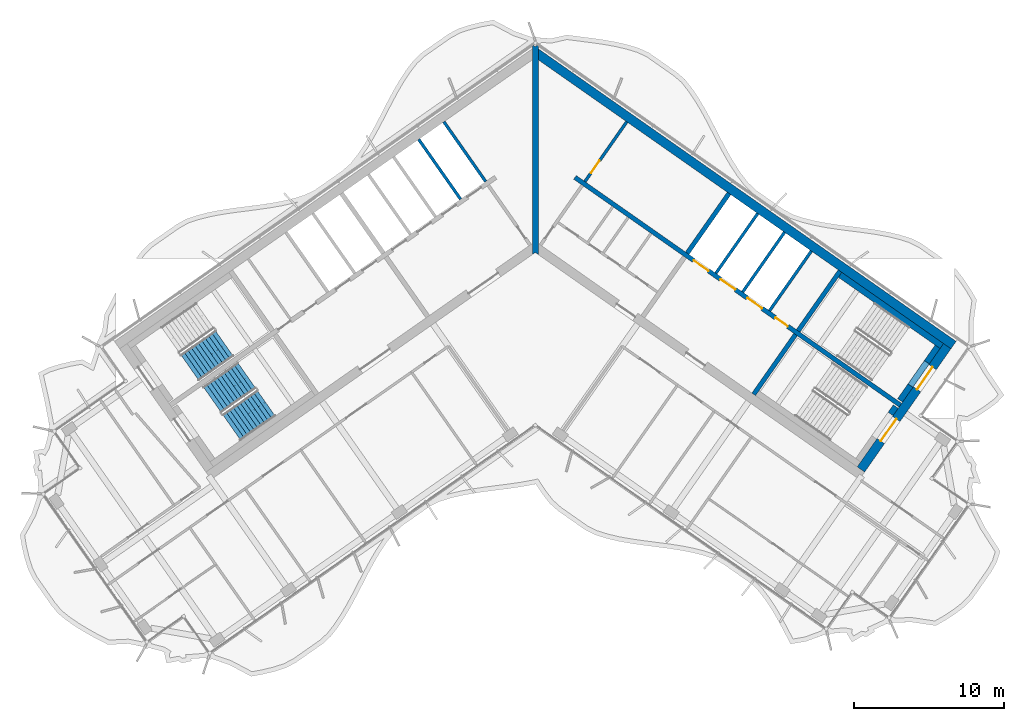
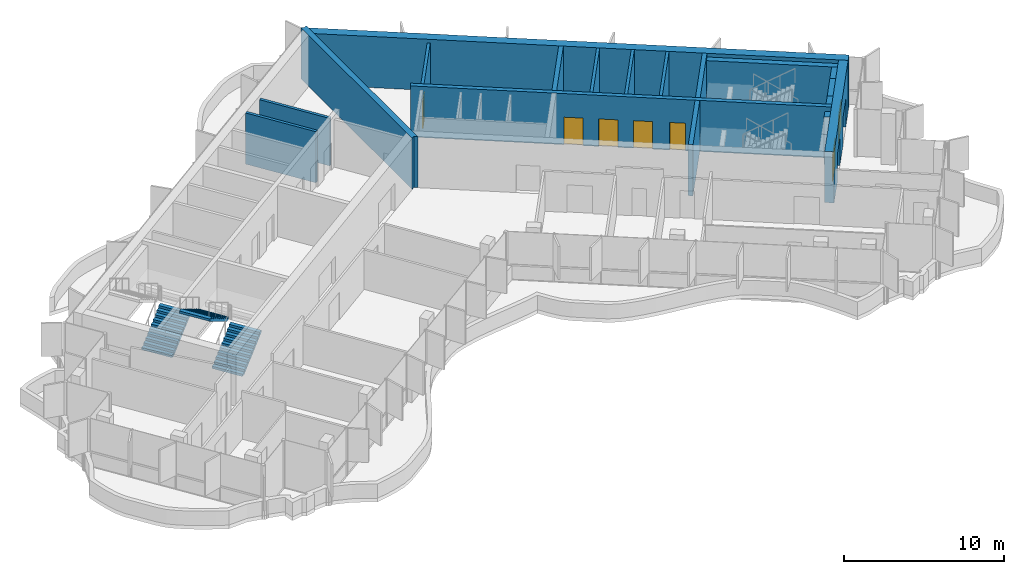
# One storey, part 11 of 17: 18 walls, 7 doors, 3 stair flights, 7 openings, 2 elements without a shape of their own.
"""IFC4 building model written with IfcOpenShell, lengths in metres."""

from ifc_helpers import new_model, si_unit, direction, frame, frame_2d, origin, place, context, subcontext, project, spatial, polyline, rectangle, outline, extrude, material, layer, layer_set, type_object, element, fill, aggregate, save


model = new_model("IFC4")

# Units and contexts
model_context = context("Model", 3, precision=1e-05, world=origin(), true_north=direction((0.0, 1.0)))
body_context = subcontext(model_context, "Body", "Model", "MODEL_VIEW")
ifc_project = project(units=[si_unit("LENGTHUNIT", "METRE"), si_unit("AREAUNIT", "SQUARE_METRE"), si_unit("VOLUMEUNIT", "CUBIC_METRE"), si_unit("PLANEANGLEUNIT", "RADIAN"), si_unit("MASSUNIT", "GRAM", prefix="KILO")], contexts=[model_context])

# Site, building, storey
site_placement = place(None, origin())
site = spatial("IfcSite", under=ifc_project, at=site_placement, CompositionType="ELEMENT")
building_placement = place(site_placement, origin())
building = spatial("IfcBuilding", under=site, at=building_placement, Name="Tel Ilan Convention Tower", CompositionType="ELEMENT")
storey_placement = place(building_placement, frame((0.0, 0.0, 280.0)))
storey = spatial("IfcBuildingStorey", under=building, at=storey_placement, Name="L66", CompositionType="ELEMENT", Elevation=280.0)

# Wall
ifc_material_1 = material(Name="Concrete C30/37", Category="concrete")
ifc_layer_1 = layer(ifc_material_1, 0.199951171875)
ifc_layer_set_1 = layer_set([ifc_layer_1], Name="Core Service Room Wall 200 mm C30/37")
wall_type_1 = type_object("IfcWallType", Name="Core Service Room Wall 200 mm C30/37", PredefinedType="SOLIDWALL", material=ifc_layer_set_1)
wall_1_placement = place(storey_placement, frame((-3.2978515625, 3.489501953125, 0.0), z_axis=(0.0, 0.0, 1.0), x_axis=(-0.573560315113, 0.819163332265, 0.0)))
element("IfcWall", 1, at=wall_1_placement, inside=storey, type_object=wall_type_1, Name="L66 core wall apex-W-b", PredefinedType="SOLIDWALL", context=body_context, shape_type="SweptSolid", body=[
    extrude(rectangle(XDim=4.849853515625, YDim=0.199951171875, at=frame_2d((2.4248046875, 0.0))), origin(), (0.0, 0.0, 1.0), 3.6201171875),
])

# Wall, opening, door
wall_2_placement = place(storey_placement, frame((3.2978515625, 3.489501953125, 0.0), z_axis=(0.0, 0.0, 1.0), x_axis=(0.573560315113, 0.819163332265, 0.0)))
wall_2 = element("IfcWall", 2, at=wall_2_placement, inside=storey, type_object=wall_type_1, Name="L66 core wall apex-E-b", PredefinedType="SOLIDWALL", context=body_context, shape_type="SweptSolid", body=[
    extrude(rectangle(XDim=4.849853515625, YDim=0.199951171875, at=frame_2d((2.4248046875, 0.0))), origin(), (0.0, 0.0, 1.0), 3.6201171875),
])
opening_1_placement = place(wall_2_placement, frame((0.699951171875, 0.0, 0.0)))
opening_1 = element("IfcOpeningElement", 3, at=opening_1_placement, cuts=wall_2, Name="Opening CD5003", PredefinedType="OPENING", context=body_context, shape_type="SweptSolid", body=[
    extrude(rectangle(XDim=1.0, YDim=2.10009765625, at=frame_2d((0.5, 1.050048828125))), frame((0.0, 0.10986328125, 0.0), z_axis=(0.0, -1.0, 0.0), x_axis=(1.0, 0.0, 0.0)), (0.0, 0.0, 1.0), 0.219970703125),
])
ifc_material_2 = material(Name="Galvanised Steel Door Leaf", Category="steel")
door_type_1 = type_object("IfcDoorType", Name="Service Room Door 1000 x 2100 FD60", OperationType="NOTDEFINED", PredefinedType="DOOR", material=ifc_material_2)
door_1_placement = place(opening_1_placement, origin())
door_1 = element("IfcDoor", 4, at=door_1_placement, inside=storey, type_object=door_type_1, Name="Plant Room door", OperationType="SINGLE_SWING_RIGHT", OverallHeight=2.10009765625, OverallWidth=1.0, PredefinedType="DOOR", context=body_context, shape_type="SweptSolid", body=[
    extrude(rectangle(XDim=1.0, YDim=2.10009765625, at=frame_2d((0.5, 1.050048828125))), frame((0.0, 0.02490234375, 0.0), z_axis=(0.0, -1.0, 0.0), x_axis=(1.0, 0.0, 0.0)), (0.0, 0.0, 1.0), 0.050048828125),
])
fill(opening_1, door_1)

# Walls
ifc_material_3 = material(Name="Concrete C40/50", Category="concrete")
ifc_layer_2 = layer(ifc_material_3, 0.300048828125)
ifc_layer_set_2 = layer_set([ifc_layer_2], Name="Core Shear Wall 300 mm C40/50")
wall_type_2 = type_object("IfcWallType", Name="Core Shear Wall 300 mm C40/50", PredefinedType="SHEAR", material=ifc_layer_set_2)
wall_3_placement = place(storey_placement, frame((10.096923828125, -1.271240234375, 0.0), z_axis=(0.0, 0.0, 1.0), x_axis=(0.573560315113, 0.819163332265, 0.0)))
element("IfcWall", 5, at=wall_3_placement, inside=storey, type_object=wall_type_2, Name="L66 core wall E-cross1-2", PredefinedType="SHEAR", context=body_context, shape_type="SweptSolid", body=[
    extrude(outline(polyline([(4.849853515625, -0.150146484375), (4.849853515625, 0.14990234375), (0.0, 0.150146484375), (0.0, -0.14990234375), (4.849853515625, -0.150146484375)])), origin(), (0.0, 0.0, 1.0), 3.89990234375),
])
wall_4_placement = place(storey_placement, frame((14.515380859375, -10.652099609375, 0.0), z_axis=(0.0, 0.0, 1.0), x_axis=(0.573560315113, 0.819163332265, 0.0)))
element("IfcWall", 6, at=wall_4_placement, inside=storey, type_object=wall_type_2, Name="L66 core wall E-cross2-1", PredefinedType="SHEAR", context=body_context, shape_type="SweptSolid", body=[
    extrude(outline(polyline([(0.0, 0.150146484375), (0.0, -0.14990234375), (4.85009765625, -0.14990234375), (4.85009765625, 0.14990234375), (0.0, 0.150146484375)])), origin(), (0.0, 0.0, 1.0), 3.89990234375),
])
wall_5_placement = place(storey_placement, frame((17.46923828125, -6.433349609375, 0.0), z_axis=(0.0, 0.0, 1.0), x_axis=(0.573594092424, 0.81913968109, 0.0)))
element("IfcWall", 7, at=wall_5_placement, inside=storey, type_object=wall_type_2, Name="L66 core wall E-cross2-2", PredefinedType="SHEAR", context=body_context, shape_type="SweptSolid", body=[
    extrude(outline(polyline([(4.849853515625, -0.14990234375), (4.849853515625, 0.150146484375), (0.0, 0.14990234375), (0.0, -0.14990234375), (4.849853515625, -0.14990234375)])), origin(), (0.0, 0.0, 1.0), 3.89990234375),
])

# Wall, openings, doors
wall_6_placement = place(storey_placement, frame((2.638427734375, 3.76806640625, 0.0), z_axis=(0.0, 0.0, 1.0), x_axis=(0.819155014212, -0.573572194837, 0.0)))
wall_6 = element("IfcWall", 8, at=wall_6_placement, inside=storey, type_object=wall_type_2, Name="L66 core wall E-spine", PredefinedType="SHEAR", context=body_context, shape_type="SweptSolid", body=[
    extrude(outline(polyline([(0.0, 0.150146484375), (0.0, -0.14990234375), (26.39990234375, -0.150146484375), (26.39990234375, 0.14990234375), (0.0, 0.150146484375)])), origin(), (0.0, 0.0, 1.0), 3.89990234375),
])
opening_2_placement = place(wall_6_placement, frame((9.637451171875, 0.0, 0.0)))
opening_2 = element("IfcOpeningElement", 9, at=opening_2_placement, cuts=wall_6, Name="Opening LD5001", PredefinedType="OPENING", context=body_context, shape_type="SweptSolid", body=[
    extrude(rectangle(XDim=1.199951171875, YDim=2.10009765625, at=frame_2d((0.60009765625, 1.050048828125))), frame((0.0, 0.159912109375, 0.0), z_axis=(0.0, -1.0, 0.0), x_axis=(1.0, 0.0, 0.0)), (0.0, 0.0, 1.0), 0.320068359375),
])
opening_3_placement = place(wall_6_placement, frame((11.8125, 0.0, 0.0)))
opening_3 = element("IfcOpeningElement", 10, at=opening_3_placement, cuts=wall_6, Name="Opening LD5002", PredefinedType="OPENING", context=body_context, shape_type="SweptSolid", body=[
    extrude(rectangle(XDim=1.199951171875, YDim=2.10009765625, at=frame_2d((0.60009765625, 1.050048828125))), frame((0.0, 0.159912109375, 0.0), z_axis=(0.0, -1.0, 0.0), x_axis=(1.0, 0.0, 0.0)), (0.0, 0.0, 1.0), 0.320068359375),
])
opening_4_placement = place(wall_6_placement, frame((13.987548828125, 0.0, 0.0)))
opening_4 = element("IfcOpeningElement", 11, at=opening_4_placement, cuts=wall_6, Name="Opening LD5003", PredefinedType="OPENING", context=body_context, shape_type="SweptSolid", body=[
    extrude(rectangle(XDim=1.199951171875, YDim=2.10009765625, at=frame_2d((0.60009765625, 1.050048828125))), frame((0.0, 0.159912109375, 0.0), z_axis=(0.0, -1.0, 0.0), x_axis=(1.0, 0.0, 0.0)), (0.0, 0.0, 1.0), 0.320068359375),
])
opening_5_placement = place(wall_6_placement, frame((16.262451171875, 0.0, 0.0)))
opening_5 = element("IfcOpeningElement", 12, at=opening_5_placement, cuts=wall_6, Name="Opening CD5008", PredefinedType="OPENING", context=body_context, shape_type="SweptSolid", body=[
    extrude(rectangle(XDim=1.0, YDim=2.10009765625, at=frame_2d((0.5, 1.050048828125))), frame((0.0, 0.159912109375, 0.0), z_axis=(0.0, -1.0, 0.0), x_axis=(1.0, 0.0, 0.0)), (0.0, 0.0, 1.0), 0.320068359375),
])
ifc_material_4 = material(Name="Stainless Steel Sliding Door Leaf", Category="steel")
door_type_2 = type_object("IfcDoorType", Name="Lift Landing Door 1200 x 2100 FD120", OperationType="NOTDEFINED", PredefinedType="DOOR", material=ifc_material_4)
door_2_placement = place(opening_2_placement, origin())
door_2 = element("IfcDoor", 13, at=door_2_placement, inside=storey, type_object=door_type_2, Name="Lift FL1 landing door", OperationType="SLIDING_TO_LEFT", OverallHeight=2.10009765625, OverallWidth=1.199951171875, PredefinedType="DOOR", context=body_context, shape_type="SweptSolid", body=[
    extrude(rectangle(XDim=1.199951171875, YDim=2.10009765625, at=frame_2d((0.60009765625, 1.050048828125))), frame((0.0, 0.02490234375, 0.0), z_axis=(0.0, -1.0, 0.0), x_axis=(1.0, 0.0, 0.0)), (0.0, 0.0, 1.0), 0.050048828125),
])
fill(opening_2, door_2)
door_3_placement = place(opening_3_placement, origin())
door_3 = element("IfcDoor", 14, at=door_3_placement, inside=storey, type_object=door_type_2, Name="Lift FL2 landing door", OperationType="SLIDING_TO_RIGHT", OverallHeight=2.10009765625, OverallWidth=1.199951171875, PredefinedType="DOOR", context=body_context, shape_type="SweptSolid", body=[
    extrude(rectangle(XDim=1.199951171875, YDim=2.10009765625, at=frame_2d((0.60009765625, 1.050048828125))), frame((0.0, 0.02490234375, 0.0), z_axis=(0.0, -1.0, 0.0), x_axis=(1.0, 0.0, 0.0)), (0.0, 0.0, 1.0), 0.050048828125),
])
fill(opening_3, door_3)
door_4_placement = place(opening_4_placement, origin())
door_4 = element("IfcDoor", 15, at=door_4_placement, inside=storey, type_object=door_type_2, Name="Lift FL3 landing door", OperationType="SLIDING_TO_LEFT", OverallHeight=2.10009765625, OverallWidth=1.199951171875, PredefinedType="DOOR", context=body_context, shape_type="SweptSolid", body=[
    extrude(rectangle(XDim=1.199951171875, YDim=2.10009765625, at=frame_2d((0.60009765625, 1.050048828125))), frame((0.0, 0.02490234375, 0.0), z_axis=(0.0, -1.0, 0.0), x_axis=(1.0, 0.0, 0.0)), (0.0, 0.0, 1.0), 0.050048828125),
])
fill(opening_4, door_4)
door_5_placement = place(opening_5_placement, origin())
door_5 = element("IfcDoor", 16, at=door_5_placement, inside=storey, type_object=door_type_1, Name="Plant Room door", OperationType="SINGLE_SWING_RIGHT", OverallHeight=2.10009765625, OverallWidth=1.0, PredefinedType="DOOR", context=body_context, shape_type="SweptSolid", body=[
    extrude(rectangle(XDim=1.0, YDim=2.10009765625, at=frame_2d((0.5, 1.050048828125))), frame((0.0, 0.02490234375, 0.0), z_axis=(0.0, -1.0, 0.0), x_axis=(1.0, 0.0, 0.0)), (0.0, 0.0, 1.0), 0.050048828125),
])
fill(opening_5, door_5)

# Walls
ifc_material_5 = material(Name="Concrete C40/50", Category="concrete")
ifc_layer_3 = layer(ifc_material_5, 0.39990234375)
ifc_layer_set_3 = layer_set([ifc_layer_3], Name="Core Shear Wall 400 mm C40/50")
wall_type_3 = type_object("IfcWallType", Name="Core Shear Wall 400 mm C40/50", PredefinedType="SHEAR", material=ifc_layer_set_3)
wall_7_placement = place(storey_placement, frame((0.0, -1.36083984375, 0.0), z_axis=(0.0, 0.0, 1.0), x_axis=(0.0, 1.0, 0.0)))
element("IfcWall", 17, at=wall_7_placement, inside=storey, type_object=wall_type_3, Name="L66 core wall K-central", PredefinedType="SHEAR", context=body_context, shape_type="SweptSolid", body=[
    extrude(outline(polyline([(0.14013671875, 0.199951171875), (0.0, 0.199951171875), (0.14013671875, 0.0), (0.0, -0.199951171875), (0.14013671875, -0.199951171875), (1.012451171875, -0.199951171875), (12.940185546875, -0.199951171875), (13.812744140625, -0.199951171875), (13.893310546875, -0.199951171875), (13.933349609375, -0.172119140625), (13.812744140625, 0.0), (13.933349609375, 0.172119140625), (13.893310546875, 0.199951171875), (13.812744140625, 0.199951171875), (12.940185546875, 0.199951171875), (1.012451171875, 0.199951171875), (0.14013671875, 0.199951171875)])), origin(), (0.0, 0.0, 1.0), 3.89990234375),
])
ifc_material_6 = material(Name="Concrete C40/50", Category="concrete")
ifc_layer_4 = layer(ifc_material_6, 0.60009765625)
ifc_layer_set_4 = layer_set([ifc_layer_4], Name="Core Shear Wall 600 mm C40/50")
wall_type_4 = type_object("IfcWallType", Name="Core Shear Wall 600 mm C40/50", PredefinedType="SHEAR", material=ifc_layer_set_4)
wall_8_placement = place(storey_placement, frame((0.02783203125, 12.066162109375, 0.0), z_axis=(0.0, 0.0, 1.0), x_axis=(0.819151382952, -0.573577380837, 0.0)))
element("IfcWall", 18, at=wall_8_placement, inside=storey, type_object=wall_type_4, Name="L66 core wall E-back", PredefinedType="SHEAR", context=body_context, shape_type="SweptSolid", body=[
    extrude(outline(polyline([(33.898193359375, 0.300048828125), (0.0, 0.300048828125), (0.420166015625, -0.300048828125), (33.89794921875, -0.300048828125), (33.898193359375, 0.300048828125)])), origin(), (0.0, 0.0, 1.0), 3.89990234375),
])

# Wall, openings, doors
wall_9_placement = place(storey_placement, frame((21.641845703125, -15.64208984375, 0.0), z_axis=(0.0, 0.0, 1.0), x_axis=(0.573586866468, 0.819144740944, 0.0)))
wall_9 = element("IfcWall", 19, at=wall_9_placement, inside=storey, type_object=wall_type_4, Name="L66 core wall E-end", PredefinedType="SHEAR", context=body_context, shape_type="SweptSolid", body=[
    extrude(outline(polyline([(10.0, 0.300048828125), (0.0, 0.2998046875), (0.0, -0.300048828125), (10.0, -0.300048828125), (10.0, 0.300048828125)])), origin(), (0.0, 0.0, 1.0), 3.89990234375),
])
opening_6_placement = place(wall_9_placement, frame((6.5, 0.0, 0.0)))
opening_6 = element("IfcOpeningElement", 20, at=opening_6_placement, cuts=wall_9, Name="Opening SD5003", PredefinedType="OPENING", context=body_context, shape_type="SweptSolid", body=[
    extrude(rectangle(XDim=1.800048828125, YDim=2.10009765625, at=frame_2d((0.89990234375, 1.050048828125))), frame((0.0, 0.31005859375, 0.0), z_axis=(0.0, -1.0, 0.0), x_axis=(1.0, 0.0, 0.0)), (0.0, 0.0, 1.0), 0.6201171875),
])
opening_7_placement = place(wall_9_placement, frame((2.300048828125, 0.0, 0.0)))
opening_7 = element("IfcOpeningElement", 21, at=opening_7_placement, cuts=wall_9, Name="Opening SD5004", PredefinedType="OPENING", context=body_context, shape_type="SweptSolid", body=[
    extrude(rectangle(XDim=1.800048828125, YDim=2.10009765625, at=frame_2d((0.89990234375, 1.050048828125))), frame((0.0, 0.31005859375, 0.0), z_axis=(0.0, -1.0, 0.0), x_axis=(1.0, 0.0, 0.0)), (0.0, 0.0, 1.0), 0.6201171875),
])
ifc_material_7 = material(Name="Galvanised Steel Door Leaf", Category="steel")
door_type_3 = type_object("IfcDoorType", Name="Stair Fire Door 1800 x 2100 FD60S", OperationType="NOTDEFINED", PredefinedType="DOOR", material=ifc_material_7)
door_6_placement = place(opening_6_placement, origin())
door_6 = element("IfcDoor", 22, at=door_6_placement, inside=storey, type_object=door_type_3, Name="Stair S3 door", OperationType="DOUBLE_DOOR_SINGLE_SWING", OverallHeight=2.10009765625, OverallWidth=1.800048828125, PredefinedType="DOOR", context=body_context, shape_type="SweptSolid", body=[
    extrude(rectangle(XDim=1.800048828125, YDim=2.10009765625, at=frame_2d((0.89990234375, 1.050048828125))), frame((0.0, 0.02490234375, 0.0), z_axis=(0.0, -1.0, 0.0), x_axis=(1.0, 0.0, 0.0)), (0.0, 0.0, 1.0), 0.050048828125),
])
fill(opening_6, door_6)
door_7_placement = place(opening_7_placement, origin())
door_7 = element("IfcDoor", 23, at=door_7_placement, inside=storey, type_object=door_type_3, Name="Stair S4 door", OperationType="DOUBLE_DOOR_SINGLE_SWING", OverallHeight=2.10009765625, OverallWidth=1.800048828125, PredefinedType="DOOR", context=body_context, shape_type="SweptSolid", body=[
    extrude(rectangle(XDim=1.800048828125, YDim=2.10009765625, at=frame_2d((0.89990234375, 1.050048828125))), frame((0.0, 0.02490234375, 0.0), z_axis=(0.0, -1.0, 0.0), x_axis=(1.0, 0.0, 0.0)), (0.0, 0.0, 1.0), 0.050048828125),
])
fill(opening_7, door_7)

# Walls
ifc_material_8 = material(Name="Concrete C30/37", Category="concrete")
ifc_layer_5 = layer(ifc_material_8, 0.199951171875)
ifc_layer_set_5 = layer_set([ifc_layer_5], Name="Lift Shaft Wall 200 mm C30/37")
wall_type_5 = type_object("IfcWallType", Name="Lift Shaft Wall 200 mm C30/37", PredefinedType="SOLIDWALL", material=ifc_layer_set_5)
wall_10_placement = place(storey_placement, frame((-4.966796875, 2.32080078125, 0.0), z_axis=(0.0, 0.0, 1.0), x_axis=(-0.573594092424, 0.81913968109, 0.0)))
element("IfcWall", 24, at=wall_10_placement, inside=storey, type_object=wall_type_5, Name="L66 core wall bank-W1-p0", PredefinedType="SOLIDWALL", context=body_context, shape_type="SweptSolid", body=[
    extrude(rectangle(XDim=4.85009765625, YDim=0.199951171875, at=frame_2d((2.425048828125, 0.0))), origin(), (0.0, 0.0, 1.0), 3.89990234375),
])
wall_11_placement = place(storey_placement, frame((12.00146484375, -2.604736328125, 0.0), z_axis=(0.0, 0.0, 1.0), x_axis=(0.573560315113, 0.819163332265, 0.0)))
element("IfcWall", 25, at=wall_11_placement, inside=storey, type_object=wall_type_5, Name="L66 core wall bank-E2-p0", PredefinedType="SOLIDWALL", context=body_context, shape_type="SweptSolid", body=[
    extrude(rectangle(XDim=4.849853515625, YDim=0.199951171875, at=frame_2d((2.4248046875, 0.0))), origin(), (0.0, 0.0, 1.0), 3.89990234375),
])
wall_12_placement = place(storey_placement, frame((13.782958984375, -3.852294921875, 0.0), z_axis=(0.0, 0.0, 1.0), x_axis=(0.573594092424, 0.81913968109, 0.0)))
element("IfcWall", 26, at=wall_12_placement, inside=storey, type_object=wall_type_5, Name="L66 core wall bank-E2-p1", PredefinedType="SOLIDWALL", context=body_context, shape_type="SweptSolid", body=[
    extrude(rectangle(XDim=4.85009765625, YDim=0.199951171875, at=frame_2d((2.425048828125, 0.0))), origin(), (0.0, 0.0, 1.0), 3.89990234375),
])
wall_13_placement = place(storey_placement, frame((15.564697265625, -5.099853515625, 0.0), z_axis=(0.0, 0.0, 1.0), x_axis=(0.573560315113, 0.819163332265, 0.0)))
element("IfcWall", 27, at=wall_13_placement, inside=storey, type_object=wall_type_5, Name="L66 core wall bank-E2-p2", PredefinedType="SOLIDWALL", context=body_context, shape_type="SweptSolid", body=[
    extrude(rectangle(XDim=4.849853515625, YDim=0.199951171875, at=frame_2d((2.4248046875, 0.0))), origin(), (0.0, 0.0, 1.0), 3.89990234375),
])
ifc_material_9 = material(Name="Concrete C30/37", Category="concrete")
ifc_layer_6 = layer(ifc_material_9, 0.39990234375)
ifc_layer_set_6 = layer_set([ifc_layer_6], Name="Stair and Shaft Lining Wall 400 mm C30/37")
wall_type_6 = type_object("IfcWallType", Name="Stair and Shaft Lining Wall 400 mm C30/37", PredefinedType="SOLIDWALL", material=ifc_layer_set_6)
wall_14_placement = place(storey_placement, frame((20.25927734375, -2.71044921875, 0.0), z_axis=(0.0, 0.0, 1.0), x_axis=(0.81914849389, -0.573581506813, 0.0)))
element("IfcWall", 28, at=wall_14_placement, inside=storey, type_object=wall_type_6, Name="L66 core wall lining-S3-t1", PredefinedType="SOLIDWALL", context=body_context, shape_type="SweptSolid", body=[
    extrude(rectangle(XDim=8.249755859375, YDim=0.39990234375, at=frame_2d((4.125, 0.0))), origin(), (0.0, 0.0, 1.0), 3.6201171875),
])
wall_15_placement = place(storey_placement, frame((24.24365234375, -11.0546875, 0.0), z_axis=(0.0, 0.0, 1.0), x_axis=(0.573571582932, 0.819155442668, 0.0)))
element("IfcWall", 29, at=wall_15_placement, inside=storey, type_object=wall_type_6, Name="L66 core wall lining-S3-u1-0", PredefinedType="SOLIDWALL", context=body_context, shape_type="SweptSolid", body=[
    extrude(rectangle(XDim=1.199951171875, YDim=0.39990234375, at=frame_2d((0.60009765625, 0.0))), origin(), (0.0, 0.0, 1.0), 3.6201171875),
])
wall_16_placement = place(storey_placement, frame((26.021728515625, -8.515380859375, 0.0), z_axis=(0.0, 0.0, 1.0), x_axis=(0.573619628835, 0.819121798889, 0.0)))
element("IfcWall", 30, at=wall_16_placement, inside=storey, type_object=wall_type_6, Name="L66 core wall lining-S3-u1-1", PredefinedType="SOLIDWALL", context=body_context, shape_type="SweptSolid", body=[
    extrude(rectangle(XDim=1.25, YDim=0.39990234375, at=frame_2d((0.625, 0.0))), origin(), (0.0, 0.0, 1.0), 3.6201171875),
])
wall_17_placement = place(storey_placement, frame((24.931884765625, -10.07177734375, 2.14990234375), z_axis=(0.0, 0.0, 1.0), x_axis=(0.573591692345, 0.819141361715, 0.0)))
element("IfcWall", 31, at=wall_17_placement, inside=storey, type_object=wall_type_6, Name="L66 core wall lining-S3-u1-lintel", PredefinedType="SOLIDWALL", context=body_context, shape_type="SweptSolid", body=[
    extrude(rectangle(XDim=1.900146484375, YDim=0.39990234375, at=frame_2d((0.9501953125, 0.0))), origin(), (0.0, 0.0, 1.0), 1.47021484375),
])
wall_18_placement = place(storey_placement, frame((23.61279296875, -11.955810546875, 0.0), z_axis=(0.0, 0.0, 1.0), x_axis=(0.573435029941, 0.819251039936, 0.0)))
element("IfcWall", 32, at=wall_18_placement, inside=storey, type_object=wall_type_6, Name="L66 core wall lining-S4-u1-1", PredefinedType="SOLIDWALL", context=body_context, shape_type="SweptSolid", body=[
    extrude(rectangle(XDim=0.599853515625, YDim=0.39990234375, at=frame_2d((0.2998046875, 0.0))), origin(), (0.0, 0.0, 1.0), 3.6201171875),
])

# Stair, stair flight
ifc_material_10 = material(Name="Concrete C40/50", Category="concrete")
stair_type = type_object("IfcStairType", Name="Pressurised Exit Stair 22 risers 177 mm", PredefinedType="HALF_TURN_STAIR", material=ifc_material_10)
stair_1_placement = place(storey_placement, origin())
stair_1 = element("IfcStair", 33, at=stair_1_placement, inside=storey, type_object=stair_type, Name="L66 Pressurised Stair S1", PredefinedType="HALF_TURN_STAIR")
ifc_material_11 = material(Name="Precast Concrete C40/50", Category="concrete")
stair_flight_type = type_object("IfcStairFlightType", Name="Concrete Stair Flight 2100 mm 22 risers 177 mm", PredefinedType="STRAIGHT", material=ifc_material_11)
stair_flight_1_placement = place(storey_placement, frame((-22.9619140625, -8.87548828125, 0.0), z_axis=(0.0, 0.0, 1.0), x_axis=(0.819152044289, 0.573576436351, 0.0)))
stair_flight_1 = element("IfcStairFlight", 34, at=stair_flight_1_placement, type_object=stair_flight_type, Name="S1 flight 1", NumberOfRisers=11, NumberOfTreads=10, PredefinedType="STRAIGHT", RiserHeight=0.177272727, TreadLength=0.28, context=body_context, shape_type="SweptSolid", body=[
    extrude(outline(polyline([(0.0, 0.0), (0.0, 0.17724609375), (0.280029296875, 0.17724609375), (0.280029296875, 0.3544921875), (0.56005859375, 0.3544921875), (0.56005859375, 0.53173828125), (0.840087890625, 0.53173828125), (0.840087890625, 0.708984375), (1.1201171875, 0.708984375), (1.1201171875, 0.886474609375), (1.39990234375, 0.886474609375), (1.39990234375, 1.063720703125), (1.679931640625, 1.063720703125), (1.679931640625, 1.240966796875), (1.9599609375, 1.240966796875), (1.9599609375, 1.418212890625), (2.239990234375, 1.418212890625), (2.239990234375, 1.595458984375), (2.52001953125, 1.595458984375), (2.52001953125, 1.772705078125), (2.800048828125, 1.772705078125), (2.800048828125, 1.949951171875), (2.800048828125, 1.59521484375), (0.2802734375, 0.0), (0.0, 0.0)])), frame((0.0, -0.100341796875, 0.0), z_axis=(0.0, -1.0, 0.0), x_axis=(1.0, 0.0, 0.0)), (0.0, 0.0, 1.0), 0.94970703125),
    extrude(outline(polyline([(0.0, 0.0), (0.0, 0.17724609375), (0.280029296875, 0.17724609375), (0.280029296875, 0.3544921875), (0.56005859375, 0.3544921875), (0.56005859375, 0.53173828125), (0.840087890625, 0.53173828125), (0.840087890625, 0.708984375), (1.1201171875, 0.708984375), (1.1201171875, 0.886474609375), (1.39990234375, 0.886474609375), (1.39990234375, 1.063720703125), (1.679931640625, 1.063720703125), (1.679931640625, 1.240966796875), (1.9599609375, 1.240966796875), (1.9599609375, 1.418212890625), (2.239990234375, 1.418212890625), (2.239990234375, 1.595458984375), (2.52001953125, 1.595458984375), (2.52001953125, 1.772705078125), (2.800048828125, 1.772705078125), (2.800048828125, 1.949951171875), (2.800048828125, 1.59521484375), (0.2802734375, 0.0), (0.0, 0.0)])), frame((0.0, -0.000244140625, 0.0), z_axis=(0.0, -1.0, 0.0), x_axis=(1.0, 0.0, 0.0)), (0.0, 0.0, 1.0), 0.099609375),
    extrude(outline(polyline([(0.0, 0.0), (0.0, 0.17724609375), (0.280029296875, 0.17724609375), (0.280029296875, 0.3544921875), (0.56005859375, 0.3544921875), (0.56005859375, 0.53173828125), (0.840087890625, 0.53173828125), (0.840087890625, 0.708984375), (1.1201171875, 0.708984375), (1.1201171875, 0.886474609375), (1.39990234375, 0.886474609375), (1.39990234375, 1.063720703125), (1.679931640625, 1.063720703125), (1.679931640625, 1.240966796875), (1.9599609375, 1.240966796875), (1.9599609375, 1.418212890625), (2.239990234375, 1.418212890625), (2.239990234375, 1.595458984375), (2.52001953125, 1.595458984375), (2.52001953125, 1.772705078125), (2.800048828125, 1.772705078125), (2.800048828125, 1.949951171875), (2.800048828125, 1.59521484375), (0.2802734375, 0.0), (0.0, 0.0)])), frame((0.0, 0.099853515625, 0.0), z_axis=(0.0, -1.0, 0.0), x_axis=(1.0, 0.0, 0.0)), (0.0, 0.0, 1.0), 0.099609375),
    extrude(outline(polyline([(0.0, 0.0), (0.0, 0.17724609375), (0.280029296875, 0.17724609375), (0.280029296875, 0.3544921875), (0.56005859375, 0.3544921875), (0.56005859375, 0.53173828125), (0.840087890625, 0.53173828125), (0.840087890625, 0.708984375), (1.1201171875, 0.708984375), (1.1201171875, 0.886474609375), (1.39990234375, 0.886474609375), (1.39990234375, 1.063720703125), (1.679931640625, 1.063720703125), (1.679931640625, 1.240966796875), (1.9599609375, 1.240966796875), (1.9599609375, 1.418212890625), (2.239990234375, 1.418212890625), (2.239990234375, 1.595458984375), (2.52001953125, 1.595458984375), (2.52001953125, 1.772705078125), (2.800048828125, 1.772705078125), (2.800048828125, 1.949951171875), (2.800048828125, 1.59521484375), (0.2802734375, 0.0), (0.0, 0.0)])), frame((0.0, 1.050048828125, 0.0), z_axis=(0.0, -1.0, 0.0), x_axis=(1.0, 0.0, 0.0)), (0.0, 0.0, 1.0), 0.94970703125),
])
aggregate(stair_1, [stair_flight_1])

# Stair, stair flights
stair_2_placement = place(storey_placement, origin())
stair_2 = element("IfcStair", 35, at=stair_2_placement, inside=storey, type_object=stair_type, Name="L66 Pressurised Stair S2", PredefinedType="HALF_TURN_STAIR")
stair_flight_2_placement = place(storey_placement, frame((-20.179931640625, -12.848388671875, 0.0), z_axis=(0.0, 0.0, 1.0), x_axis=(0.819152044289, 0.573576436351, 0.0)))
stair_flight_2 = element("IfcStairFlight", 36, at=stair_flight_2_placement, type_object=stair_flight_type, Name="S2 flight 1", NumberOfRisers=11, NumberOfTreads=10, PredefinedType="STRAIGHT", RiserHeight=0.177272727, TreadLength=0.28, context=body_context, shape_type="SweptSolid", body=[
    extrude(outline(polyline([(0.0, 0.0), (0.0, 0.17724609375), (0.280029296875, 0.17724609375), (0.280029296875, 0.3544921875), (0.56005859375, 0.3544921875), (0.56005859375, 0.53173828125), (0.840087890625, 0.53173828125), (0.840087890625, 0.708984375), (1.1201171875, 0.708984375), (1.1201171875, 0.886474609375), (1.39990234375, 0.886474609375), (1.39990234375, 1.063720703125), (1.679931640625, 1.063720703125), (1.679931640625, 1.240966796875), (1.9599609375, 1.240966796875), (1.9599609375, 1.418212890625), (2.239990234375, 1.418212890625), (2.239990234375, 1.595458984375), (2.52001953125, 1.595458984375), (2.52001953125, 1.772705078125), (2.800048828125, 1.772705078125), (2.800048828125, 1.949951171875), (2.800048828125, 1.59521484375), (0.2802734375, 0.0), (0.0, 0.0)])), frame((0.0, -0.100341796875, 0.0), z_axis=(0.0, -1.0, 0.0), x_axis=(1.0, 0.0, 0.0)), (0.0, 0.0, 1.0), 0.94970703125),
    extrude(outline(polyline([(0.0, 0.0), (0.0, 0.17724609375), (0.280029296875, 0.17724609375), (0.280029296875, 0.3544921875), (0.56005859375, 0.3544921875), (0.56005859375, 0.53173828125), (0.840087890625, 0.53173828125), (0.840087890625, 0.708984375), (1.1201171875, 0.708984375), (1.1201171875, 0.886474609375), (1.39990234375, 0.886474609375), (1.39990234375, 1.063720703125), (1.679931640625, 1.063720703125), (1.679931640625, 1.240966796875), (1.9599609375, 1.240966796875), (1.9599609375, 1.418212890625), (2.239990234375, 1.418212890625), (2.239990234375, 1.595458984375), (2.52001953125, 1.595458984375), (2.52001953125, 1.772705078125), (2.800048828125, 1.772705078125), (2.800048828125, 1.949951171875), (2.800048828125, 1.59521484375), (0.2802734375, 0.0), (0.0, 0.0)])), frame((0.0, -0.000244140625, 0.0), z_axis=(0.0, -1.0, 0.0), x_axis=(1.0, 0.0, 0.0)), (0.0, 0.0, 1.0), 0.099609375),
    extrude(outline(polyline([(0.0, 0.0), (0.0, 0.17724609375), (0.280029296875, 0.17724609375), (0.280029296875, 0.3544921875), (0.56005859375, 0.3544921875), (0.56005859375, 0.53173828125), (0.840087890625, 0.53173828125), (0.840087890625, 0.708984375), (1.1201171875, 0.708984375), (1.1201171875, 0.886474609375), (1.39990234375, 0.886474609375), (1.39990234375, 1.063720703125), (1.679931640625, 1.063720703125), (1.679931640625, 1.240966796875), (1.9599609375, 1.240966796875), (1.9599609375, 1.418212890625), (2.239990234375, 1.418212890625), (2.239990234375, 1.595458984375), (2.52001953125, 1.595458984375), (2.52001953125, 1.772705078125), (2.800048828125, 1.772705078125), (2.800048828125, 1.949951171875), (2.800048828125, 1.59521484375), (0.2802734375, 0.0), (0.0, 0.0)])), frame((0.0, 0.099853515625, 0.0), z_axis=(0.0, -1.0, 0.0), x_axis=(1.0, 0.0, 0.0)), (0.0, 0.0, 1.0), 0.099609375),
    extrude(outline(polyline([(0.0, 0.0), (0.0, 0.17724609375), (0.280029296875, 0.17724609375), (0.280029296875, 0.3544921875), (0.56005859375, 0.3544921875), (0.56005859375, 0.53173828125), (0.840087890625, 0.53173828125), (0.840087890625, 0.708984375), (1.1201171875, 0.708984375), (1.1201171875, 0.886474609375), (1.39990234375, 0.886474609375), (1.39990234375, 1.063720703125), (1.679931640625, 1.063720703125), (1.679931640625, 1.240966796875), (1.9599609375, 1.240966796875), (1.9599609375, 1.418212890625), (2.239990234375, 1.418212890625), (2.239990234375, 1.595458984375), (2.52001953125, 1.595458984375), (2.52001953125, 1.772705078125), (2.800048828125, 1.772705078125), (2.800048828125, 1.949951171875), (2.800048828125, 1.59521484375), (0.2802734375, 0.0), (0.0, 0.0)])), frame((0.0, 1.050048828125, 0.0), z_axis=(0.0, -1.0, 0.0), x_axis=(1.0, 0.0, 0.0)), (0.0, 0.0, 1.0), 0.94970703125),
])
stair_flight_3_placement = place(storey_placement, frame((-19.177001953125, -9.399169921875, 1.949951171875), z_axis=(0.0, 0.0, 1.0), x_axis=(-0.819152044289, -0.573576436351, 0.0)))
stair_flight_3 = element("IfcStairFlight", 37, at=stair_flight_3_placement, type_object=stair_flight_type, Name="S2 flight 2", NumberOfRisers=11, NumberOfTreads=10, PredefinedType="STRAIGHT", RiserHeight=0.177272727, TreadLength=0.28, context=body_context, shape_type="SweptSolid", body=[
    extrude(outline(polyline([(0.0, 0.0), (0.0, 0.17724609375), (0.280029296875, 0.17724609375), (0.280029296875, 0.3544921875), (0.56005859375, 0.3544921875), (0.56005859375, 0.53173828125), (0.840087890625, 0.53173828125), (0.840087890625, 0.708984375), (1.1201171875, 0.708984375), (1.1201171875, 0.886474609375), (1.39990234375, 0.886474609375), (1.39990234375, 1.063720703125), (1.679931640625, 1.063720703125), (1.679931640625, 1.240966796875), (1.9599609375, 1.240966796875), (1.9599609375, 1.418212890625), (2.239990234375, 1.418212890625), (2.239990234375, 1.595458984375), (2.52001953125, 1.595458984375), (2.52001953125, 1.772705078125), (2.800048828125, 1.772705078125), (2.800048828125, 1.949951171875), (2.800048828125, 1.59521484375), (0.2802734375, 0.0), (0.0, 0.0)])), frame((0.0, -0.100341796875, 0.0), z_axis=(0.0, -1.0, 0.0), x_axis=(1.0, 0.0, 0.0)), (0.0, 0.0, 1.0), 0.94970703125),
    extrude(outline(polyline([(0.0, 0.0), (0.0, 0.17724609375), (0.280029296875, 0.17724609375), (0.280029296875, 0.3544921875), (0.56005859375, 0.3544921875), (0.56005859375, 0.53173828125), (0.840087890625, 0.53173828125), (0.840087890625, 0.708984375), (1.1201171875, 0.708984375), (1.1201171875, 0.886474609375), (1.39990234375, 0.886474609375), (1.39990234375, 1.063720703125), (1.679931640625, 1.063720703125), (1.679931640625, 1.240966796875), (1.9599609375, 1.240966796875), (1.9599609375, 1.418212890625), (2.239990234375, 1.418212890625), (2.239990234375, 1.595458984375), (2.52001953125, 1.595458984375), (2.52001953125, 1.772705078125), (2.800048828125, 1.772705078125), (2.800048828125, 1.949951171875), (2.800048828125, 1.59521484375), (0.2802734375, 0.0), (0.0, 0.0)])), frame((0.0, -0.000244140625, 0.0), z_axis=(0.0, -1.0, 0.0), x_axis=(1.0, 0.0, 0.0)), (0.0, 0.0, 1.0), 0.099609375),
    extrude(outline(polyline([(0.0, 0.0), (0.0, 0.17724609375), (0.280029296875, 0.17724609375), (0.280029296875, 0.3544921875), (0.56005859375, 0.3544921875), (0.56005859375, 0.53173828125), (0.840087890625, 0.53173828125), (0.840087890625, 0.708984375), (1.1201171875, 0.708984375), (1.1201171875, 0.886474609375), (1.39990234375, 0.886474609375), (1.39990234375, 1.063720703125), (1.679931640625, 1.063720703125), (1.679931640625, 1.240966796875), (1.9599609375, 1.240966796875), (1.9599609375, 1.418212890625), (2.239990234375, 1.418212890625), (2.239990234375, 1.595458984375), (2.52001953125, 1.595458984375), (2.52001953125, 1.772705078125), (2.800048828125, 1.772705078125), (2.800048828125, 1.949951171875), (2.800048828125, 1.59521484375), (0.2802734375, 0.0), (0.0, 0.0)])), frame((0.0, 0.099853515625, 0.0), z_axis=(0.0, -1.0, 0.0), x_axis=(1.0, 0.0, 0.0)), (0.0, 0.0, 1.0), 0.099609375),
    extrude(outline(polyline([(0.0, 0.0), (0.0, 0.17724609375), (0.280029296875, 0.17724609375), (0.280029296875, 0.3544921875), (0.56005859375, 0.3544921875), (0.56005859375, 0.53173828125), (0.840087890625, 0.53173828125), (0.840087890625, 0.708984375), (1.1201171875, 0.708984375), (1.1201171875, 0.886474609375), (1.39990234375, 0.886474609375), (1.39990234375, 1.063720703125), (1.679931640625, 1.063720703125), (1.679931640625, 1.240966796875), (1.9599609375, 1.240966796875), (1.9599609375, 1.418212890625), (2.239990234375, 1.418212890625), (2.239990234375, 1.595458984375), (2.52001953125, 1.595458984375), (2.52001953125, 1.772705078125), (2.800048828125, 1.772705078125), (2.800048828125, 1.949951171875), (2.800048828125, 1.59521484375), (0.2802734375, 0.0), (0.0, 0.0)])), frame((0.0, 1.050048828125, 0.0), z_axis=(0.0, -1.0, 0.0), x_axis=(1.0, 0.0, 0.0)), (0.0, 0.0, 1.0), 0.94970703125),
])
aggregate(stair_2, [stair_flight_2, stair_flight_3])

save(model, "model.ifc")
